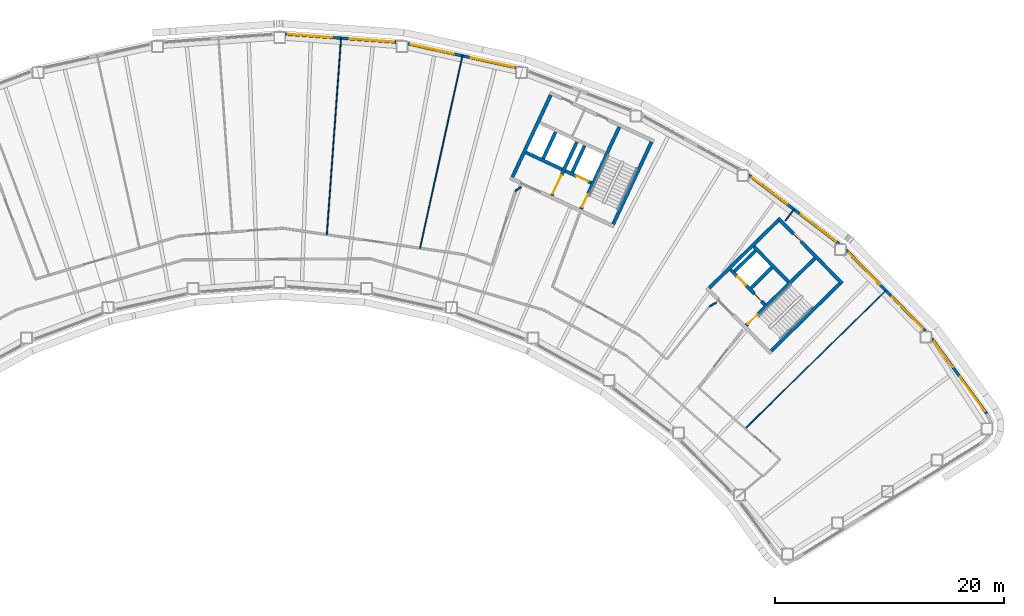
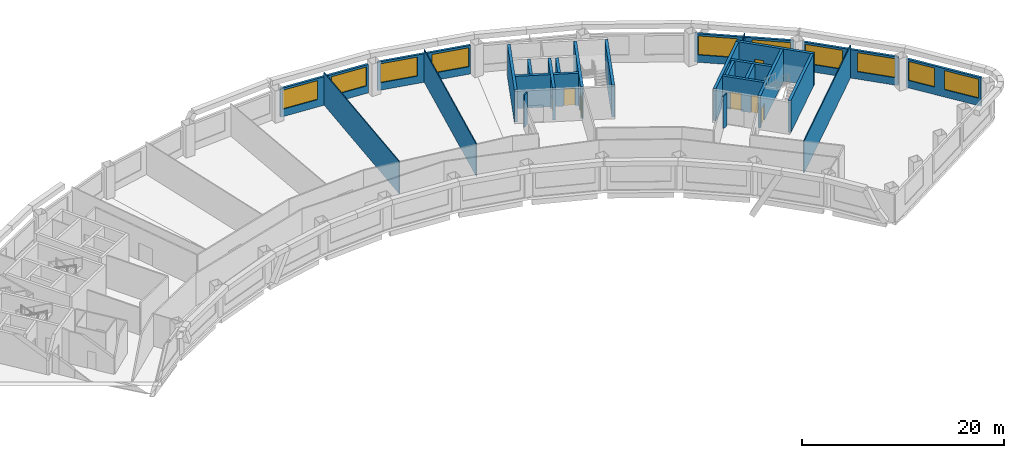
# One storey, part 7 of 11: 27 walls, 10 windows, 7 doors, 17 openings.
"""IFC4 building model written with IfcOpenShell, lengths in metres."""

from ifc_helpers import new_model, si_unit, direction, frame, frame_2d, origin, place, context, subcontext, project, spatial, rectangle, extrude, material, layer, layer_set, type_object, element, fill, save


model = new_model("IFC4")

# Units and contexts
model_context = context("Model", 3, precision=1e-05, world=origin(), true_north=direction((0.0, 1.0)))
body_context = subcontext(model_context, "Body", "Model", "MODEL_VIEW")
ifc_project = project(units=[si_unit("LENGTHUNIT", "METRE"), si_unit("AREAUNIT", "SQUARE_METRE"), si_unit("VOLUMEUNIT", "CUBIC_METRE"), si_unit("PLANEANGLEUNIT", "RADIAN"), si_unit("MASSUNIT", "GRAM", prefix="KILO")], contexts=[model_context])

# Site, building, storey
site_placement = place(None, origin())
site = spatial("IfcSite", under=ifc_project, at=site_placement, CompositionType="ELEMENT")
building_placement = place(site_placement, origin())
building = spatial("IfcBuilding", under=site, at=building_placement, Name="Tuul Gate Civic Tower", CompositionType="ELEMENT")
storey_placement = place(building_placement, frame((0.0, 0.0, 159.199951171875)))
storey = spatial("IfcBuildingStorey", under=building, at=storey_placement, Name="Level 36", CompositionType="ELEMENT", Elevation=159.199951171875)

# Wall, openings, doors
ifc_material_1 = material(Name="Concrete C50/60", Category="concrete")
ifc_layer_1 = layer(ifc_material_1, 0.300048828125)
ifc_layer_set_1 = layer_set([ifc_layer_1], Name="Concrete C50/60")
wall_type_1 = type_object("IfcWallType", Name="Core wall C50/60", PredefinedType="SHEAR", material=ifc_layer_set_1)
wall_1_placement = place(storey_placement, frame((47.701904296875, -14.079833984375, 0.0), z_axis=(0.0, 0.0, 1.0), x_axis=(-0.700002721075, 0.714140175657, 0.0)))
wall_1 = element("IfcWall", 1, at=wall_1_placement, inside=storey, type_object=wall_type_1, Name="Core wall", PredefinedType="SHEAR", context=body_context, shape_type="SweptSolid", body=[
    extrude(rectangle(XDim=4.300048828125, YDim=0.300048828125, at=frame_2d((2.14990234375, 0.0))), origin(), (0.0, 0.0, 1.0), 3.900146484375),
])
opening_1_placement = place(wall_1_placement, frame((0.425048828125, 0.0, 0.0)))
opening_1 = element("IfcOpeningElement", 2, at=opening_1_placement, cuts=wall_1, Name="Opening FB-E1A1", PredefinedType="OPENING", context=body_context, shape_type="SweptSolid", body=[
    extrude(rectangle(XDim=0.89990234375, YDim=2.10009765625, at=frame_2d((0.449951171875, 1.050048828125))), frame((0.0, 0.16015625, 0.0), z_axis=(0.0, -1.0, 0.0), x_axis=(1.0, 0.0, 0.0)), (0.0, 0.0, 1.0), 0.320068359375),
])
opening_2_placement = place(wall_1_placement, frame((2.375, 0.0, 0.0)))
opening_2 = element("IfcOpeningElement", 3, at=opening_2_placement, cuts=wall_1, Name="Opening LD-M3", PredefinedType="OPENING", context=body_context, shape_type="SweptSolid", body=[
    extrude(rectangle(XDim=1.10009765625, YDim=2.10009765625, at=frame_2d((0.550048828125, 1.050048828125))), frame((0.0, 0.16015625, 0.0), z_axis=(0.0, -1.0, 0.0), x_axis=(1.0, 0.0, 0.0)), (0.0, 0.0, 1.0), 0.320068359375),
])
ifc_material_2 = material(Name="Stainless steel", Category="steel")
door_type_1 = type_object("IfcDoorType", Name="Landing door", OperationType="DOUBLE_DOOR_SLIDING", PredefinedType="DOOR", material=ifc_material_2)
door_1_placement = place(opening_2_placement, origin())
door_1 = element("IfcDoor", 4, at=door_1_placement, inside=storey, type_object=door_type_1, Name="Mid-rise lift M3 landing door", OperationType="DOUBLE_DOOR_SLIDING", OverallHeight=2.10009765625, OverallWidth=1.10009765625, PredefinedType="DOOR", context=body_context, shape_type="SweptSolid", body=[
    extrude(rectangle(XDim=1.10009765625, YDim=2.10009765625, at=frame_2d((0.550048828125, 1.050048828125))), frame((0.0, 0.02490234375, 0.0), z_axis=(0.0, -1.0, 0.0), x_axis=(1.0, 0.0, 0.0)), (0.0, 0.0, 1.0), 0.050048828125),
])
fill(opening_2, door_1)
ifc_material_3 = material(Name="Steel", Category="steel")
door_type_2 = type_object("IfcDoorType", Name="Store door", OperationType="NOTDEFINED", PredefinedType="DOOR", material=ifc_material_3)
door_2_placement = place(opening_1_placement, frame((0.89990234375, 0.0, 0.0), z_axis=(0.0, 0.0, 1.0), x_axis=(-1.0, 0.0, 0.0)))
door_2 = element("IfcDoor", 5, at=door_2_placement, inside=storey, type_object=door_type_2, Name="Store door E1A1", OperationType="SINGLE_SWING_RIGHT", OverallHeight=2.10009765625, OverallWidth=0.89990234375, PredefinedType="DOOR", context=body_context, shape_type="SweptSolid", body=[
    extrude(rectangle(XDim=0.89990234375, YDim=2.10009765625, at=frame_2d((0.449951171875, 1.050048828125))), frame((0.0, 0.02490234375, 0.0), z_axis=(0.0, -1.0, 0.0), x_axis=(1.0, 0.0, 0.0)), (0.0, 0.0, 1.0), 0.050048828125),
])
fill(opening_1, door_2)

# Wall
wall_2_placement = place(storey_placement, frame((49.737060546875, -12.0849609375, 0.0), z_axis=(0.0, 0.0, 1.0), x_axis=(-0.700002721075, 0.714140175657, 0.0)))
element("IfcWall", 6, at=wall_2_placement, inside=storey, type_object=wall_type_1, Name="Core wall", PredefinedType="SHEAR", context=body_context, shape_type="SweptSolid", body=[
    extrude(rectangle(XDim=4.300048828125, YDim=0.300048828125, at=frame_2d((2.14990234375, 0.0))), origin(), (0.0, 0.0, 1.0), 3.900146484375),
])

# Wall, opening, door
wall_3_placement = place(storey_placement, frame((54.43798828125, -12.23779296875, 0.0), z_axis=(0.0, 0.0, 1.0), x_axis=(-0.700021979774, 0.714121297703, 0.0)))
wall_3 = element("IfcWall", 7, at=wall_3_placement, inside=storey, type_object=wall_type_1, Name="Core wall", PredefinedType="SHEAR", context=body_context, shape_type="SweptSolid", body=[
    extrude(rectangle(XDim=8.0, YDim=0.300048828125, at=frame_2d((4.0, 0.0))), origin(), (0.0, 0.0, 1.0), 3.900146484375),
])
opening_3_placement = place(wall_3_placement, frame((5.175048828125, 0.0, 0.0)))
opening_3 = element("IfcOpeningElement", 8, at=opening_3_placement, cuts=wall_3, Name="Opening M-D20", PredefinedType="OPENING", context=body_context, shape_type="SweptSolid", body=[
    extrude(rectangle(XDim=0.89990234375, YDim=2.10009765625, at=frame_2d((0.449951171875, 1.050048828125))), frame((0.0, 0.16015625, 0.0), z_axis=(0.0, -1.0, 0.0), x_axis=(1.0, 0.0, 0.0)), (0.0, 0.0, 1.0), 0.320068359375),
])
ifc_material_4 = material(Name="Timber door leaf", Category="wood")
door_type_3 = type_object("IfcDoorType", Name="Door D09", OperationType="NOTDEFINED", PredefinedType="DOOR", material=ifc_material_4)
door_3_placement = place(opening_3_placement, origin())
door_3 = element("IfcDoor", 9, at=door_3_placement, inside=storey, type_object=door_type_3, Name="Door M-D20", OperationType="SINGLE_SWING_LEFT", OverallHeight=2.10009765625, OverallWidth=0.89990234375, PredefinedType="DOOR", context=body_context, shape_type="SweptSolid", body=[
    extrude(rectangle(XDim=0.89990234375, YDim=2.10009765625, at=frame_2d((0.449951171875, 1.050048828125))), frame((0.0, 0.02490234375, 0.0), z_axis=(0.0, -1.0, 0.0), x_axis=(1.0, 0.0, 0.0)), (0.0, 0.0, 1.0), 0.050048828125),
])
fill(opening_3, door_3)

# Wall
wall_4_placement = place(storey_placement, frame((48.227294921875, -18.115966796875, 0.0), z_axis=(0.0, 0.0, 1.0), x_axis=(0.714105315431, 0.700038283577, 0.0)))
element("IfcWall", 10, at=wall_4_placement, inside=storey, type_object=wall_type_1, Name="Core wall", PredefinedType="SHEAR", context=body_context, shape_type="SweptSolid", body=[
    extrude(rectangle(XDim=8.400146484375, YDim=0.300048828125, at=frame_2d((4.2001953125, 0.0))), origin(), (0.0, 0.0, 1.0), 3.900146484375),
])

# Wall, opening, door
wall_5_placement = place(storey_placement, frame((46.05712890625, -15.902099609375, 0.0), z_axis=(0.0, 0.0, 1.0), x_axis=(0.714134086973, 0.700008932674, 0.0)))
wall_5 = element("IfcWall", 11, at=wall_5_placement, inside=storey, type_object=wall_type_1, Name="Core wall", PredefinedType="SHEAR", context=body_context, shape_type="SweptSolid", body=[
    extrude(rectangle(XDim=8.400146484375, YDim=0.300048828125, at=frame_2d((4.2001953125, 0.0))), origin(), (0.0, 0.0, 1.0), 3.900146484375),
])
opening_4_placement = place(wall_5_placement, frame((0.199951171875, 0.0, 0.0)))
opening_4 = element("IfcOpeningElement", 12, at=opening_4_placement, cuts=wall_5, Name="Opening SD-ST-3", PredefinedType="OPENING", context=body_context, shape_type="SweptSolid", body=[
    extrude(rectangle(XDim=1.199951171875, YDim=2.10009765625, at=frame_2d((0.60009765625, 1.050048828125))), frame((0.0, 0.16015625, 0.0), z_axis=(0.0, -1.0, 0.0), x_axis=(1.0, 0.0, 0.0)), (0.0, 0.0, 1.0), 0.320068359375),
])
ifc_material_5 = material(Name="Steel", Category="steel")
door_type_4 = type_object("IfcDoorType", Name="Stair door", OperationType="NOTDEFINED", PredefinedType="DOOR", material=ifc_material_5)
door_4_placement = place(opening_4_placement, origin())
door_4 = element("IfcDoor", 13, at=door_4_placement, inside=storey, type_object=door_type_4, Name="Stair door ST-3", OperationType="SINGLE_SWING_LEFT", OverallHeight=2.10009765625, OverallWidth=1.199951171875, PredefinedType="DOOR", context=body_context, shape_type="SweptSolid", body=[
    extrude(rectangle(XDim=1.199951171875, YDim=2.10009765625, at=frame_2d((0.60009765625, 1.050048828125))), frame((0.0, 0.02490234375, 0.0), z_axis=(0.0, -1.0, 0.0), x_axis=(1.0, 0.0, 0.0)), (0.0, 0.0, 1.0), 0.050048828125),
])
fill(opening_4, door_4)

# Walls
wall_6_placement = place(storey_placement, frame((46.47900390625, -12.617919921875, 0.0), z_axis=(0.0, 0.0, 1.0), x_axis=(0.71410944159, 0.700034074479, 0.0)))
element("IfcWall", 14, at=wall_6_placement, inside=storey, type_object=wall_type_1, Name="Core wall", PredefinedType="SHEAR", context=body_context, shape_type="SweptSolid", body=[
    extrude(rectangle(XDim=2.5498046875, YDim=0.300048828125, at=frame_2d((1.27490234375, 0.0))), origin(), (0.0, 0.0, 1.0), 3.900146484375),
])
wall_7_placement = place(storey_placement, frame((45.0439453125, -11.154052734375, 0.0), z_axis=(0.0, 0.0, 1.0), x_axis=(0.714108498262, 0.700035036773, 0.0)))
element("IfcWall", 15, at=wall_7_placement, inside=storey, type_object=wall_type_1, Name="Core wall", PredefinedType="SHEAR", context=body_context, shape_type="SweptSolid", body=[
    extrude(rectangle(XDim=2.550048828125, YDim=0.300048828125, at=frame_2d((1.27490234375, 0.0))), origin(), (0.0, 0.0, 1.0), 3.900146484375),
])
wall_8_placement = place(storey_placement, frame((42.837158203125, -12.616943359375, 0.0), z_axis=(0.0, 0.0, 1.0), x_axis=(0.714119844755, 0.700023461983, 0.0)))
element("IfcWall", 16, at=wall_8_placement, inside=storey, type_object=wall_type_1, Name="Core wall", PredefinedType="SHEAR", context=body_context, shape_type="SweptSolid", body=[
    extrude(rectangle(XDim=8.39990234375, YDim=0.300048828125, at=frame_2d((4.199951171875, 0.0))), origin(), (0.0, 0.0, 1.0), 3.900146484375),
])

# Wall, opening, door
wall_9_placement = place(storey_placement, frame((32.545654296875, -3.456787109375, 0.0), z_axis=(0.0, 0.0, 1.0), x_axis=(-0.906300357825, 0.42263419337, 0.0)))
wall_9 = element("IfcWall", 17, at=wall_9_placement, inside=storey, type_object=wall_type_1, Name="Core wall", PredefinedType="SHEAR", context=body_context, shape_type="SweptSolid", body=[
    extrude(rectangle(XDim=2.500244140625, YDim=0.300048828125, at=frame_2d((1.25, 0.0))), origin(), (0.0, 0.0, 1.0), 3.900146484375),
])
opening_5_placement = place(wall_9_placement, frame((0.324951171875, 0.0, 0.0)))
opening_5 = element("IfcOpeningElement", 18, at=opening_5_placement, cuts=wall_9, Name="Opening LD-FF-2", PredefinedType="OPENING", context=body_context, shape_type="SweptSolid", body=[
    extrude(rectangle(XDim=1.10009765625, YDim=2.10009765625, at=frame_2d((0.550048828125, 1.050048828125))), frame((0.0, 0.16015625, 0.0), z_axis=(0.0, -1.0, 0.0), x_axis=(1.0, 0.0, 0.0)), (0.0, 0.0, 1.0), 0.320068359375),
])
door_5_placement = place(opening_5_placement, origin())
door_5 = element("IfcDoor", 19, at=door_5_placement, inside=storey, type_object=door_type_1, Name="Fire-fighting lift FF-2 landing door", OperationType="DOUBLE_DOOR_SLIDING", OverallHeight=2.10009765625, OverallWidth=1.10009765625, PredefinedType="DOOR", context=body_context, shape_type="SweptSolid", body=[
    extrude(rectangle(XDim=1.10009765625, YDim=2.10009765625, at=frame_2d((0.550048828125, 1.050048828125))), frame((0.0, 0.02490234375, 0.0), z_axis=(0.0, -1.0, 0.0), x_axis=(1.0, 0.0, 0.0)), (0.0, 0.0, 1.0), 0.050048828125),
])
fill(opening_5, door_5)

# Walls
wall_10_placement = place(storey_placement, frame((30.0078125, -2.2734375, 0.0), z_axis=(0.0, 0.0, 1.0), x_axis=(-0.90630071767, 0.422633421716, 0.0)))
element("IfcWall", 20, at=wall_10_placement, inside=storey, type_object=wall_type_1, Name="Core wall", PredefinedType="SHEAR", context=body_context, shape_type="SweptSolid", body=[
    extrude(rectangle(XDim=3.5, YDim=0.300048828125, at=frame_2d((1.75, 0.0))), origin(), (0.0, 0.0, 1.0), 3.900146484375),
])
wall_11_placement = place(storey_placement, frame((34.455810546875, -7.05078125, 0.0), z_axis=(0.0, 0.0, 1.0), x_axis=(0.422570768258, 0.906329932096, 0.0)))
element("IfcWall", 21, at=wall_11_placement, inside=storey, type_object=wall_type_1, Name="Core wall", PredefinedType="SHEAR", context=body_context, shape_type="SweptSolid", body=[
    extrude(rectangle(XDim=7.900146484375, YDim=0.300048828125, at=frame_2d((3.9501953125, 0.0))), origin(), (0.0, 0.0, 1.0), 3.900146484375),
])

# Wall, opening, door
wall_12_placement = place(storey_placement, frame((31.646240234375, -5.740478515625, 0.0), z_axis=(0.0, 0.0, 1.0), x_axis=(0.422582604137, 0.906324413596, 0.0)))
wall_12 = element("IfcWall", 22, at=wall_12_placement, inside=storey, type_object=wall_type_1, Name="Core wall", PredefinedType="SHEAR", context=body_context, shape_type="SweptSolid", body=[
    extrude(rectangle(XDim=7.89990234375, YDim=0.300048828125, at=frame_2d((3.949951171875, 0.0))), origin(), (0.0, 0.0, 1.0), 3.900146484375),
])
opening_6_placement = place(wall_12_placement, frame((0.199951171875, 0.0, 0.0)))
opening_6 = element("IfcOpeningElement", 23, at=opening_6_placement, cuts=wall_12, Name="Opening SD-ST-4", PredefinedType="OPENING", context=body_context, shape_type="SweptSolid", body=[
    extrude(rectangle(XDim=1.199951171875, YDim=2.10009765625, at=frame_2d((0.60009765625, 1.050048828125))), frame((0.0, 0.16015625, 0.0), z_axis=(0.0, -1.0, 0.0), x_axis=(1.0, 0.0, 0.0)), (0.0, 0.0, 1.0), 0.320068359375),
])
door_6_placement = place(opening_6_placement, origin())
door_6 = element("IfcDoor", 24, at=door_6_placement, inside=storey, type_object=door_type_4, Name="Stair door ST-4", OperationType="SINGLE_SWING_LEFT", OverallHeight=2.10009765625, OverallWidth=1.199951171875, PredefinedType="DOOR", context=body_context, shape_type="SweptSolid", body=[
    extrude(rectangle(XDim=1.199951171875, YDim=2.10009765625, at=frame_2d((0.60009765625, 1.050048828125))), frame((0.0, 0.02490234375, 0.0), z_axis=(0.0, -1.0, 0.0), x_axis=(1.0, 0.0, 0.0)), (0.0, 0.0, 1.0), 0.050048828125),
])
fill(opening_6, door_6)

# Wall
wall_13_placement = place(storey_placement, frame((30.886962890625, -2.517822265625, 0.0), z_axis=(0.0, 0.0, 1.0), x_axis=(0.422612891016, 0.906310291427, 0.0)))
element("IfcWall", 25, at=wall_13_placement, inside=storey, type_object=wall_type_1, Name="Core wall", PredefinedType="SHEAR", context=body_context, shape_type="SweptSolid", body=[
    extrude(rectangle(XDim=2.550048828125, YDim=0.300048828125, at=frame_2d((1.27490234375, 0.0))), origin(), (0.0, 0.0, 1.0), 3.900146484375),
])

# Wall, opening, door
wall_14_placement = place(storey_placement, frame((29.108642578125, -4.557373046875, 0.0), z_axis=(0.0, 0.0, 1.0), x_axis=(0.422566235356, 0.90633204552, 0.0)))
wall_14 = element("IfcWall", 26, at=wall_14_placement, inside=storey, type_object=wall_type_1, Name="Core wall", PredefinedType="SHEAR", context=body_context, shape_type="SweptSolid", body=[
    extrude(rectangle(XDim=5.150146484375, YDim=0.300048828125, at=frame_2d((2.5751953125, 0.0))), origin(), (0.0, 0.0, 1.0), 3.900146484375),
])
opening_7_placement = place(wall_14_placement, frame((0.175048828125, 0.0, 0.0)))
opening_7 = element("IfcOpeningElement", 27, at=opening_7_placement, cuts=wall_14, Name="Opening LB-E3-FLOBBY-1", PredefinedType="OPENING", context=body_context, shape_type="SweptSolid", body=[
    extrude(rectangle(XDim=1.800048828125, YDim=2.10009765625, at=frame_2d((0.89990234375, 1.050048828125))), frame((0.0, 0.16015625, 0.0), z_axis=(0.0, -1.0, 0.0), x_axis=(1.0, 0.0, 0.0)), (0.0, 0.0, 1.0), 0.320068359375),
])
ifc_material_6 = material(Name="Steel", Category="steel")
door_type_5 = type_object("IfcDoorType", Name="Lobby door", OperationType="DOUBLE_DOOR_SINGLE_SWING", PredefinedType="DOOR", material=ifc_material_6)
door_7_placement = place(opening_7_placement, frame((1.800048828125, 0.0, 0.0), z_axis=(0.0, 0.0, 1.0), x_axis=(-1.0, 0.0, 0.0)))
door_7 = element("IfcDoor", 28, at=door_7_placement, inside=storey, type_object=door_type_5, Name="Lobby door E3-FLOBBY", OperationType="DOUBLE_DOOR_SINGLE_SWING", OverallHeight=2.10009765625, OverallWidth=1.800048828125, PredefinedType="DOOR", context=body_context, shape_type="SweptSolid", body=[
    extrude(rectangle(XDim=1.800048828125, YDim=2.10009765625, at=frame_2d((0.900146484375, 1.050048828125))), frame((0.0, 0.02490234375, 0.0), z_axis=(0.0, -1.0, 0.0), x_axis=(1.0, 0.0, 0.0)), (0.0, 0.0, 1.0), 0.050048828125),
])
fill(opening_7, door_7)

# Walls
wall_15_placement = place(storey_placement, frame((28.349365234375, -1.33447265625, 0.0), z_axis=(0.0, 0.0, 1.0), x_axis=(0.422612891016, 0.906310291427, 0.0)))
element("IfcWall", 29, at=wall_15_placement, inside=storey, type_object=wall_type_1, Name="Core wall", PredefinedType="SHEAR", context=body_context, shape_type="SweptSolid", body=[
    extrude(rectangle(XDim=2.550048828125, YDim=0.300048828125, at=frame_2d((1.27490234375, 0.0))), origin(), (0.0, 0.0, 1.0), 3.900146484375),
])
wall_16_placement = place(storey_placement, frame((25.66455078125, -2.951416015625, 0.0), z_axis=(0.0, 0.0, 1.0), x_axis=(0.422582604137, 0.906324413596, 0.0)))
element("IfcWall", 30, at=wall_16_placement, inside=storey, type_object=wall_type_1, Name="Core wall", PredefinedType="SHEAR", context=body_context, shape_type="SweptSolid", body=[
    extrude(rectangle(XDim=7.89990234375, YDim=0.300048828125, at=frame_2d((3.949951171875, 0.0))), origin(), (0.0, 0.0, 1.0), 3.900146484375),
])
ifc_material_7 = material(Name="Gypsum board partition")
ifc_layer_2 = layer(ifc_material_7, 0.14990234375)
ifc_layer_set_2 = layer_set([ifc_layer_2], Name="Gypsum board partition")
wall_type_2 = type_object("IfcWallType", Name="Corridor wall P150", PredefinedType="PARTITIONING", material=ifc_layer_set_2)
wall_17_placement = place(storey_placement, frame((42.857177734375, -14.217529296875, 0.0), z_axis=(0.0, 0.0, 1.0), x_axis=(0.886158968438, 0.463381357692, 0.0)))
element("IfcWall", 31, at=wall_17_placement, inside=storey, type_object=wall_type_2, Name="p012", PredefinedType="PARTITIONING", context=body_context, shape_type="SweptSolid", body=[
    extrude(rectangle(XDim=0.685546875, YDim=0.14990234375, at=frame_2d((0.3427734375, 0.0))), origin(), (0.0, 0.0, 1.0), 3.900146484375),
])
wall_18_placement = place(storey_placement, frame((25.919677734375, -4.149169921875, 0.0), z_axis=(0.0, 0.0, 1.0), x_axis=(0.823470266963, 0.56735942702, 0.0)))
element("IfcWall", 32, at=wall_18_placement, inside=storey, type_object=wall_type_2, Name="p016", PredefinedType="PARTITIONING", context=body_context, shape_type="SweptSolid", body=[
    extrude(rectangle(XDim=0.611083984375, YDim=0.14990234375, at=frame_2d((0.3056640625, 0.0))), origin(), (0.0, 0.0, 1.0), 3.900146484375),
])

# Wall, openings, windows
ifc_material_8 = material(Name="Precast concrete C40/50", Category="concrete")
ifc_layer_3 = layer(ifc_material_8, 0.25)
ifc_layer_set_3 = layer_set([ifc_layer_3], Name="Precast concrete C40/50")
wall_type_3 = type_object("IfcWallType", Name="External wall", PredefinedType="STANDARD", material=ifc_layer_set_3)
wall_19_placement = place(storey_placement, frame((67.06298828125, -23.61376953125, 0.0), z_axis=(0.0, 0.0, 1.0), x_axis=(-0.589745261817, 0.807589330145, 0.0)))
wall_19 = element("IfcWall", 33, at=wall_19_placement, inside=storey, type_object=wall_type_3, Name="External wall", PredefinedType="STANDARD", context=body_context, shape_type="SweptSolid", body=[
    extrude(rectangle(XDim=8.167724609375, YDim=0.25, at=frame_2d((4.083984375, 0.0))), origin(), (0.0, 0.0, 1.0), 3.449951171875),
])
opening_8_placement = place(wall_19_placement, frame((0.30078125, 0.0, 0.89990234375)))
opening_8 = element("IfcOpeningElement", 34, at=opening_8_placement, cuts=wall_19, Name="Opening W21", PredefinedType="OPENING", context=body_context, shape_type="SweptSolid", body=[
    extrude(rectangle(XDim=3.699951171875, YDim=2.300048828125, at=frame_2d((1.85009765625, 1.14990234375))), frame((0.0, 0.135009765625, 0.0), z_axis=(0.0, -1.0, 0.0), x_axis=(1.0, 0.0, 0.0)), (0.0, 0.0, 1.0), 0.27001953125),
])
opening_9_placement = place(wall_19_placement, frame((5.052734375, 0.0, 0.89990234375)))
opening_9 = element("IfcOpeningElement", 35, at=opening_9_placement, cuts=wall_19, Name="Opening W23", PredefinedType="OPENING", context=body_context, shape_type="SweptSolid", body=[
    extrude(rectangle(XDim=2.800048828125, YDim=2.300048828125, at=frame_2d((1.39990234375, 1.14990234375))), frame((0.0, 0.135009765625, 0.0), z_axis=(0.0, -1.0, 0.0), x_axis=(1.0, 0.0, 0.0)), (0.0, 0.0, 1.0), 0.27001953125),
])
ifc_material_9 = material(Name="Glass", Category="glass")
window_type_1 = type_object("IfcWindowType", Name="Window W21 3700 x 2300", PartitioningType="SINGLE_PANEL", PredefinedType="WINDOW", material=ifc_material_9)
window_1_placement = place(opening_8_placement, origin())
window_1 = element("IfcWindow", 36, at=window_1_placement, inside=storey, type_object=window_type_1, Name="Window", OverallHeight=2.300048828125, OverallWidth=3.699951171875, PartitioningType="SINGLE_PANEL", PredefinedType="WINDOW", context=body_context, shape_type="SweptSolid", body=[
    extrude(rectangle(XDim=3.699951171875, YDim=2.300048828125, at=frame_2d((1.85009765625, 1.14990234375))), frame((0.0, 0.030029296875, 0.0), z_axis=(0.0, -1.0, 0.0), x_axis=(1.0, 0.0, 0.0)), (0.0, 0.0, 1.0), 0.06005859375),
])
fill(opening_8, window_1)
ifc_material_10 = material(Name="Glass", Category="glass")
window_type_2 = type_object("IfcWindowType", Name="Window W23 2800 x 2300", PartitioningType="SINGLE_PANEL", PredefinedType="WINDOW", material=ifc_material_10)
window_2_placement = place(opening_9_placement, origin())
window_2 = element("IfcWindow", 37, at=window_2_placement, inside=storey, type_object=window_type_2, Name="Window", OverallHeight=2.300048828125, OverallWidth=2.800048828125, PartitioningType="SINGLE_PANEL", PredefinedType="WINDOW", context=body_context, shape_type="SweptSolid", body=[
    extrude(rectangle(XDim=2.800048828125, YDim=2.300048828125, at=frame_2d((1.39990234375, 1.14990234375))), frame((0.0, 0.030029296875, 0.0), z_axis=(0.0, -1.0, 0.0), x_axis=(1.0, 0.0, 0.0)), (0.0, 0.0, 1.0), 0.06005859375),
])
fill(opening_9, window_2)

wall_20_placement = place(storey_placement, frame((61.7109375, -16.384033203125, 0.0), z_axis=(0.0, 0.0, 1.0), x_axis=(-0.700039889753, 0.714103740891, 0.0)))
wall_20 = element("IfcWall", 38, at=wall_20_placement, inside=storey, type_object=wall_type_3, Name="External wall", PredefinedType="STANDARD", context=body_context, shape_type="SweptSolid", body=[
    extrude(rectangle(XDim=9.912353515625, YDim=0.25, at=frame_2d((4.9560546875, 0.0))), origin(), (0.0, 0.0, 1.0), 3.449951171875),
])
opening_10_placement = place(wall_20_placement, frame((0.3466796875, 0.0, 0.89990234375)))
opening_10 = element("IfcOpeningElement", 39, at=opening_10_placement, cuts=wall_20, Name="Opening W22", PredefinedType="OPENING", context=body_context, shape_type="SweptSolid", body=[
    extrude(rectangle(XDim=3.85009765625, YDim=2.300048828125, at=frame_2d((1.925048828125, 1.14990234375))), frame((0.0, 0.135009765625, 0.0), z_axis=(0.0, -1.0, 0.0), x_axis=(1.0, 0.0, 0.0)), (0.0, 0.0, 1.0), 0.27001953125),
])
opening_11_placement = place(wall_20_placement, frame((5.7177734375, 0.0, 0.89990234375)))
opening_11 = element("IfcOpeningElement", 40, at=opening_11_placement, cuts=wall_20, Name="Opening W22", PredefinedType="OPENING", context=body_context, shape_type="SweptSolid", body=[
    extrude(rectangle(XDim=3.85009765625, YDim=2.300048828125, at=frame_2d((1.925048828125, 1.14990234375))), frame((0.0, 0.135009765625, 0.0), z_axis=(0.0, -1.0, 0.0), x_axis=(1.0, 0.0, 0.0)), (0.0, 0.0, 1.0), 0.27001953125),
])
ifc_material_11 = material(Name="Glass", Category="glass")
window_type_3 = type_object("IfcWindowType", Name="Window W22 3850 x 2300", PartitioningType="SINGLE_PANEL", PredefinedType="WINDOW", material=ifc_material_11)
window_3_placement = place(opening_10_placement, origin())
window_3 = element("IfcWindow", 41, at=window_3_placement, inside=storey, type_object=window_type_3, Name="Window", OverallHeight=2.300048828125, OverallWidth=3.85009765625, PartitioningType="SINGLE_PANEL", PredefinedType="WINDOW", context=body_context, shape_type="SweptSolid", body=[
    extrude(rectangle(XDim=3.85009765625, YDim=2.300048828125, at=frame_2d((1.925048828125, 1.14990234375))), frame((0.0, 0.030029296875, 0.0), z_axis=(0.0, -1.0, 0.0), x_axis=(1.0, 0.0, 0.0)), (0.0, 0.0, 1.0), 0.06005859375),
])
fill(opening_10, window_3)
window_4_placement = place(opening_11_placement, origin())
window_4 = element("IfcWindow", 42, at=window_4_placement, inside=storey, type_object=window_type_3, Name="Window", OverallHeight=2.300048828125, OverallWidth=3.85009765625, PartitioningType="SINGLE_PANEL", PredefinedType="WINDOW", context=body_context, shape_type="SweptSolid", body=[
    extrude(rectangle(XDim=3.85009765625, YDim=2.300048828125, at=frame_2d((1.925048828125, 1.14990234375))), frame((0.0, 0.030029296875, 0.0), z_axis=(0.0, -1.0, 0.0), x_axis=(1.0, 0.0, 0.0)), (0.0, 0.0, 1.0), 0.06005859375),
])
fill(opening_11, window_4)

wall_21_placement = place(storey_placement, frame((54.15087890625, -8.759033203125, 0.0), z_axis=(0.0, 0.0, 1.0), x_axis=(-0.795610041496, 0.605809096887, 0.0)))
wall_21 = element("IfcWall", 43, at=wall_21_placement, inside=storey, type_object=wall_type_3, Name="External wall", PredefinedType="STANDARD", context=body_context, shape_type="SweptSolid", body=[
    extrude(rectangle(XDim=9.89794921875, YDim=0.25, at=frame_2d((4.948974609375, 0.0))), origin(), (0.0, 0.0, 1.0), 3.449951171875),
])
opening_12_placement = place(wall_21_placement, frame((0.3291015625, 0.0, 0.89990234375)))
opening_12 = element("IfcOpeningElement", 44, at=opening_12_placement, cuts=wall_21, Name="Opening W22", PredefinedType="OPENING", context=body_context, shape_type="SweptSolid", body=[
    extrude(rectangle(XDim=3.85009765625, YDim=2.300048828125, at=frame_2d((1.925048828125, 1.14990234375))), frame((0.0, 0.135009765625, 0.0), z_axis=(0.0, -1.0, 0.0), x_axis=(1.0, 0.0, 0.0)), (0.0, 0.0, 1.0), 0.27001953125),
])
opening_13_placement = place(wall_21_placement, frame((5.700439453125, 0.0, 0.89990234375)))
opening_13 = element("IfcOpeningElement", 45, at=opening_13_placement, cuts=wall_21, Name="Opening W22", PredefinedType="OPENING", context=body_context, shape_type="SweptSolid", body=[
    extrude(rectangle(XDim=3.85009765625, YDim=2.300048828125, at=frame_2d((1.925048828125, 1.14990234375))), frame((0.0, 0.135009765625, 0.0), z_axis=(0.0, -1.0, 0.0), x_axis=(1.0, 0.0, 0.0)), (0.0, 0.0, 1.0), 0.27001953125),
])
window_5_placement = place(opening_12_placement, origin())
window_5 = element("IfcWindow", 46, at=window_5_placement, inside=storey, type_object=window_type_3, Name="Window", OverallHeight=2.300048828125, OverallWidth=3.85009765625, PartitioningType="SINGLE_PANEL", PredefinedType="WINDOW", context=body_context, shape_type="SweptSolid", body=[
    extrude(rectangle(XDim=3.85009765625, YDim=2.300048828125, at=frame_2d((1.925048828125, 1.14990234375))), frame((0.0, 0.030029296875, 0.0), z_axis=(0.0, -1.0, 0.0), x_axis=(1.0, 0.0, 0.0)), (0.0, 0.0, 1.0), 0.06005859375),
])
fill(opening_12, window_5)
window_6_placement = place(opening_13_placement, origin())
window_6 = element("IfcWindow", 47, at=window_6_placement, inside=storey, type_object=window_type_3, Name="Window", OverallHeight=2.300048828125, OverallWidth=3.85009765625, PartitioningType="SINGLE_PANEL", PredefinedType="WINDOW", context=body_context, shape_type="SweptSolid", body=[
    extrude(rectangle(XDim=3.85009765625, YDim=2.300048828125, at=frame_2d((1.925048828125, 1.14990234375))), frame((0.0, 0.030029296875, 0.0), z_axis=(0.0, -1.0, 0.0), x_axis=(1.0, 0.0, 0.0)), (0.0, 0.0, 1.0), 0.06005859375),
])
fill(opening_13, window_6)

wall_22_placement = place(storey_placement, frame((25.950927734375, 6.60546875, 0.0), z_axis=(0.0, 0.0, 1.0), x_axis=(-0.976568733391, 0.215205736364, 0.0)))
wall_22 = element("IfcWall", 48, at=wall_22_placement, inside=storey, type_object=wall_type_3, Name="External wall", PredefinedType="STANDARD", context=body_context, shape_type="SweptSolid", body=[
    extrude(rectangle(XDim=9.654296875, YDim=0.25, at=frame_2d((4.8271484375, 0.0))), origin(), (0.0, 0.0, 1.0), 3.449951171875),
])
opening_14_placement = place(wall_22_placement, frame((0.145263671875, 0.0, 0.89990234375)))
opening_14 = element("IfcOpeningElement", 49, at=opening_14_placement, cuts=wall_22, Name="Opening W22", PredefinedType="OPENING", context=body_context, shape_type="SweptSolid", body=[
    extrude(rectangle(XDim=3.85009765625, YDim=2.300048828125, at=frame_2d((1.925048828125, 1.14990234375))), frame((0.0, 0.135009765625, 0.0), z_axis=(0.0, -1.0, 0.0), x_axis=(1.0, 0.0, 0.0)), (0.0, 0.0, 1.0), 0.27001953125),
])
opening_15_placement = place(wall_22_placement, frame((5.5166015625, 0.0, 0.89990234375)))
opening_15 = element("IfcOpeningElement", 50, at=opening_15_placement, cuts=wall_22, Name="Opening W22", PredefinedType="OPENING", context=body_context, shape_type="SweptSolid", body=[
    extrude(rectangle(XDim=3.85009765625, YDim=2.300048828125, at=frame_2d((1.925048828125, 1.14990234375))), frame((0.0, 0.135009765625, 0.0), z_axis=(0.0, -1.0, 0.0), x_axis=(1.0, 0.0, 0.0)), (0.0, 0.0, 1.0), 0.27001953125),
])
window_7_placement = place(opening_14_placement, origin())
window_7 = element("IfcWindow", 51, at=window_7_placement, inside=storey, type_object=window_type_3, Name="Window", OverallHeight=2.300048828125, OverallWidth=3.85009765625, PartitioningType="SINGLE_PANEL", PredefinedType="WINDOW", context=body_context, shape_type="SweptSolid", body=[
    extrude(rectangle(XDim=3.85009765625, YDim=2.300048828125, at=frame_2d((1.925048828125, 1.14990234375))), frame((0.0, 0.030029296875, 0.0), z_axis=(0.0, -1.0, 0.0), x_axis=(1.0, 0.0, 0.0)), (0.0, 0.0, 1.0), 0.06005859375),
])
fill(opening_14, window_7)
window_8_placement = place(opening_15_placement, origin())
window_8 = element("IfcWindow", 52, at=window_8_placement, inside=storey, type_object=window_type_3, Name="Window", OverallHeight=2.300048828125, OverallWidth=3.85009765625, PartitioningType="SINGLE_PANEL", PredefinedType="WINDOW", context=body_context, shape_type="SweptSolid", body=[
    extrude(rectangle(XDim=3.85009765625, YDim=2.300048828125, at=frame_2d((1.925048828125, 1.14990234375))), frame((0.0, 0.030029296875, 0.0), z_axis=(0.0, -1.0, 0.0), x_axis=(1.0, 0.0, 0.0)), (0.0, 0.0, 1.0), 0.06005859375),
])
fill(opening_15, window_8)

wall_23_placement = place(storey_placement, frame((15.52294921875, 8.822509765625, 0.0), z_axis=(0.0, 0.0, 1.0), x_axis=(-0.997386456692, 0.07225133914, 0.0)))
wall_23 = element("IfcWall", 53, at=wall_23_placement, inside=storey, type_object=wall_type_3, Name="External wall", PredefinedType="STANDARD", context=body_context, shape_type="SweptSolid", body=[
    extrude(rectangle(XDim=9.67431640625, YDim=0.25, at=frame_2d((4.837158203125, 0.0))), origin(), (0.0, 0.0, 1.0), 3.449951171875),
])
opening_16_placement = place(wall_23_placement, frame((0.203125, 0.0, 0.89990234375)))
opening_16 = element("IfcOpeningElement", 54, at=opening_16_placement, cuts=wall_23, Name="Opening W22", PredefinedType="OPENING", context=body_context, shape_type="SweptSolid", body=[
    extrude(rectangle(XDim=3.85009765625, YDim=2.300048828125, at=frame_2d((1.925048828125, 1.14990234375))), frame((0.0, 0.135009765625, 0.0), z_axis=(0.0, -1.0, 0.0), x_axis=(1.0, 0.0, 0.0)), (0.0, 0.0, 1.0), 0.27001953125),
])
opening_17_placement = place(wall_23_placement, frame((5.57421875, 0.0, 0.89990234375)))
opening_17 = element("IfcOpeningElement", 55, at=opening_17_placement, cuts=wall_23, Name="Opening W22", PredefinedType="OPENING", context=body_context, shape_type="SweptSolid", body=[
    extrude(rectangle(XDim=3.85009765625, YDim=2.300048828125, at=frame_2d((1.925048828125, 1.14990234375))), frame((0.0, 0.135009765625, 0.0), z_axis=(0.0, -1.0, 0.0), x_axis=(1.0, 0.0, 0.0)), (0.0, 0.0, 1.0), 0.27001953125),
])
window_9_placement = place(opening_16_placement, origin())
window_9 = element("IfcWindow", 56, at=window_9_placement, inside=storey, type_object=window_type_3, Name="Window", OverallHeight=2.300048828125, OverallWidth=3.85009765625, PartitioningType="SINGLE_PANEL", PredefinedType="WINDOW", context=body_context, shape_type="SweptSolid", body=[
    extrude(rectangle(XDim=3.85009765625, YDim=2.300048828125, at=frame_2d((1.925048828125, 1.14990234375))), frame((0.0, 0.030029296875, 0.0), z_axis=(0.0, -1.0, 0.0), x_axis=(1.0, 0.0, 0.0)), (0.0, 0.0, 1.0), 0.06005859375),
])
fill(opening_16, window_9)
window_10_placement = place(opening_17_placement, origin())
window_10 = element("IfcWindow", 57, at=window_10_placement, inside=storey, type_object=window_type_3, Name="Window", OverallHeight=2.300048828125, OverallWidth=3.85009765625, PartitioningType="SINGLE_PANEL", PredefinedType="WINDOW", context=body_context, shape_type="SweptSolid", body=[
    extrude(rectangle(XDim=3.85009765625, YDim=2.300048828125, at=frame_2d((1.925048828125, 1.14990234375))), frame((0.0, 0.030029296875, 0.0), z_axis=(0.0, -1.0, 0.0), x_axis=(1.0, 0.0, 0.0)), (0.0, 0.0, 1.0), 0.06005859375),
])
fill(opening_17, window_10)

# Walls
ifc_material_12 = material(Name="Gypsum board partition")
ifc_layer_4 = layer(ifc_material_12, 0.10009765625)
ifc_layer_set_4 = layer_set([ifc_layer_4], Name="Gypsum board partition")
wall_type_4 = type_object("IfcWallType", Name="Partition P100", PredefinedType="PARTITIONING", material=ifc_layer_set_4)
wall_24_placement = place(storey_placement, frame((45.962158203125, -24.88037109375, 0.0), z_axis=(0.0, 0.0, 1.0), x_axis=(0.714126545183, 0.700016626563, 0.0)))
element("IfcWall", 58, at=wall_24_placement, inside=storey, type_object=wall_type_4, Name="p001", PredefinedType="PARTITIONING", context=body_context, shape_type="SweptSolid", body=[
    extrude(rectangle(XDim=17.198974609375, YDim=0.10009765625, at=frame_2d((8.599609375, 0.0))), origin(), (0.0, 0.0, 1.0), 3.900146484375),
])
wall_25_placement = place(storey_placement, frame((49.474853515625, -6.746337890625, 0.0), z_axis=(0.0, 0.0, 1.0), x_axis=(0.605733843496, 0.795667336796, 0.0)))
element("IfcWall", 59, at=wall_25_placement, inside=storey, type_object=wall_type_4, Name="p007", PredefinedType="PARTITIONING", context=body_context, shape_type="SweptSolid", body=[
    extrude(rectangle(XDim=1.236572265625, YDim=0.10009765625, at=frame_2d((0.6181640625, 0.0))), origin(), (0.0, 0.0, 1.0), 3.900146484375),
])
wall_26_placement = place(storey_placement, frame((17.610107421875, -9.14599609375, 0.0), z_axis=(0.0, 0.0, 1.0), x_axis=(0.215219561414, 0.976565686672, 0.0)))
element("IfcWall", 60, at=wall_26_placement, inside=storey, type_object=wall_type_4, Name="p015", PredefinedType="PARTITIONING", context=body_context, shape_type="SweptSolid", body=[
    extrude(rectangle(XDim=17.182373046875, YDim=0.10009765625, at=frame_2d((8.59130859375, 0.0))), origin(), (0.0, 0.0, 1.0), 3.900146484375),
])
wall_27_placement = place(storey_placement, frame((9.48095703125, -7.965576171875, 0.0), z_axis=(0.0, 0.0, 1.0), x_axis=(0.072251526864, 0.997386443093, 0.0)))
element("IfcWall", 61, at=wall_27_placement, inside=storey, type_object=wall_type_4, Name="p019", PredefinedType="PARTITIONING", context=body_context, shape_type="SweptSolid", body=[
    extrude(rectangle(XDim=17.185791015625, YDim=0.10009765625, at=frame_2d((8.5927734375, 0.0))), origin(), (0.0, 0.0, 1.0), 3.900146484375),
])

save(model, "model.ifc")
